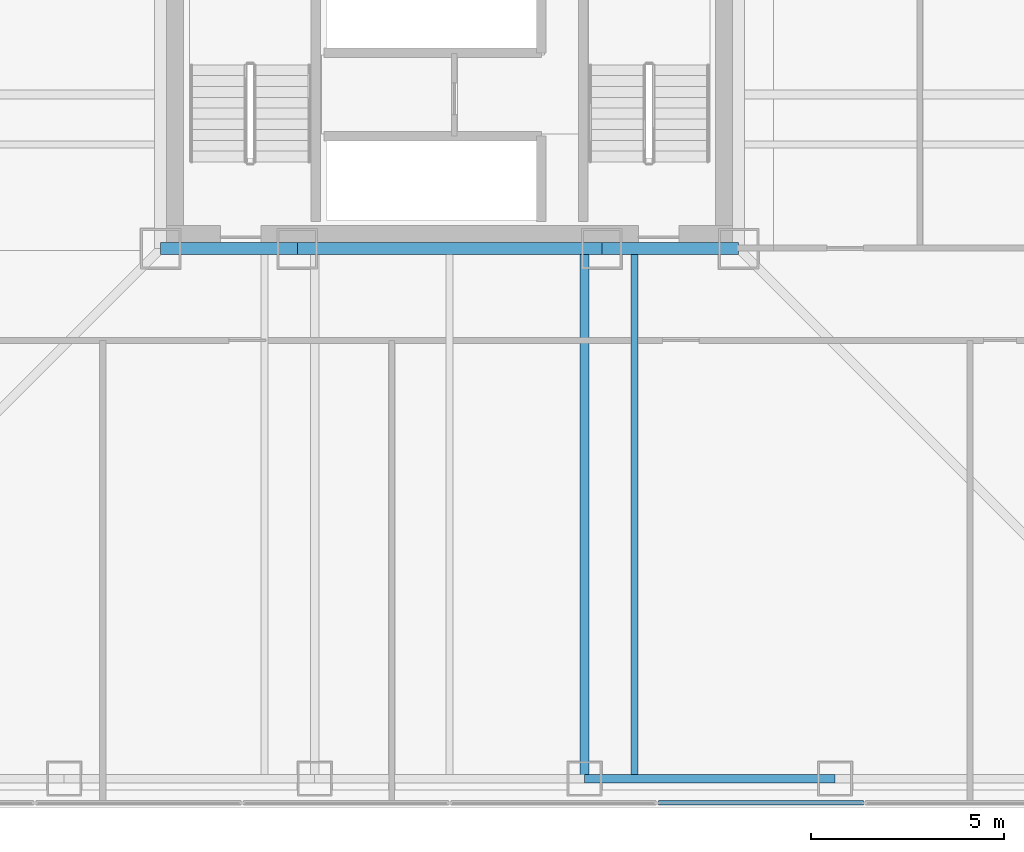
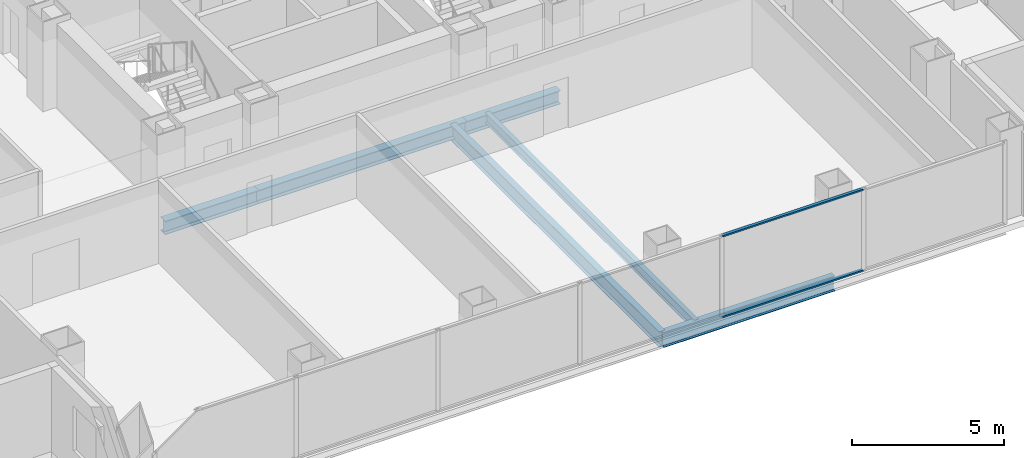
# One storey, part 3 of 14: 6 beams, 2 members, 1 element without a shape of its own.
"""IFC4 building model written with IfcOpenShell, lengths in metres."""

from ifc_helpers import new_model, si_unit, direction, frame, origin, origin_2d, place, context, subcontext, project, spatial, rectangle, i_section, extrude, material, layer, layer_set, material_profile, profile_set, type_object, element, aggregate, save


model = new_model("IFC4")

# Units and contexts
model_context = context("Model", 3, precision=1e-05, world=origin(), true_north=direction((0.0, 1.0)))
body_context = subcontext(model_context, "Body", "Model", "MODEL_VIEW")
ifc_project = project(units=[si_unit("LENGTHUNIT", "METRE"), si_unit("AREAUNIT", "SQUARE_METRE"), si_unit("VOLUMEUNIT", "CUBIC_METRE"), si_unit("PLANEANGLEUNIT", "RADIAN"), si_unit("MASSUNIT", "GRAM", prefix="KILO")], contexts=[model_context])

# Site, building, storey
site_placement = place(None, origin())
site = spatial("IfcSite", under=ifc_project, at=site_placement, CompositionType="ELEMENT")
building_placement = place(site_placement, origin())
building = spatial("IfcBuilding", under=site, at=building_placement, Name="Trevonay Congress Spire", CompositionType="ELEMENT")
storey_placement = place(building_placement, frame((0.0, 0.0, 97.60009765625)))
storey = spatial("IfcBuildingStorey", under=building, at=storey_placement, Name="L24", CompositionType="ELEMENT", Elevation=97.60009765625)

# Beams
ifc_material_1 = material(Name="Steel ASTM A572 Grade 50", Category="steel")
ifc_material_profile_1 = material_profile(ifc_material_1, i_section(OverallWidth=0.31201171875, OverallDepth=0.54296875, WebThickness=0.0126953125, FlangeThickness=0.020263671875, FilletRadius=0.014892578125, at=origin_2d()), Name="W530x150")
ifc_profile_set_1 = profile_set([ifc_material_profile_1], Name="Steel ASTM A572 Grade 50")
beam_type_1 = type_object("IfcBeamType", Name="BM-GIRD-W530X150", PredefinedType="BEAM", material=ifc_profile_set_1)
beam_1_placement = place(storey_placement, frame((-7.5, -7.5, -0.51171875), z_axis=(1.0, 0.0, 0.0), x_axis=(0.0, 1.0, 0.0)))
element("IfcBeam", 1, at=beam_1_placement, inside=storey, type_object=beam_type_1, Name="L24 structural beam BM-L24-CR-S1", PredefinedType="BEAM", context=body_context, shape_type="SweptSolid", body=[
    extrude(i_section(OverallWidth=0.31201171875, OverallDepth=0.54296875, WebThickness=0.0126953125, FlangeThickness=0.020263671875, FilletRadius=0.014892578125, at=origin_2d()), origin(), (0.0, 0.0, 1.0), 3.550048828125),
])
beam_2_placement = place(storey_placement, frame((-3.949951171875, -7.5, -0.51171875), z_axis=(1.0, 0.0, 0.0), x_axis=(0.0, 1.0, 0.0)))
element("IfcBeam", 2, at=beam_2_placement, inside=storey, type_object=beam_type_1, Name="L24 structural beam BM-L24-CR-S2", PredefinedType="BEAM", context=body_context, shape_type="SweptSolid", body=[
    extrude(i_section(OverallWidth=0.31201171875, OverallDepth=0.54296875, WebThickness=0.0126953125, FlangeThickness=0.020263671875, FilletRadius=0.014892578125, at=origin_2d()), origin(), (0.0, 0.0, 1.0), 7.89990234375),
])
beam_3_placement = place(storey_placement, frame((3.949951171875, -7.5, -0.51171875), z_axis=(1.0, 0.0, 0.0), x_axis=(0.0, 1.0, 0.0)))
element("IfcBeam", 3, at=beam_3_placement, inside=storey, type_object=beam_type_1, Name="L24 structural beam BM-L24-CR-S3", PredefinedType="BEAM", context=body_context, shape_type="SweptSolid", body=[
    extrude(i_section(OverallWidth=0.31201171875, OverallDepth=0.54296875, WebThickness=0.0126953125, FlangeThickness=0.020263671875, FilletRadius=0.014892578125, at=origin_2d()), origin(), (0.0, 0.0, 1.0), 3.550048828125),
])
ifc_material_profile_2 = material_profile(ifc_material_1, i_section(OverallWidth=0.22998046875, OverallDepth=0.616943359375, WebThickness=0.01318359375, FlangeThickness=0.022216796875, FilletRadius=0.01611328125, at=origin_2d()), Name="W610x140")
ifc_profile_set_2 = profile_set([ifc_material_profile_2], Name="Steel ASTM A572 Grade 50")
beam_type_2 = type_object("IfcBeamType", Name="BM-GIRD-W610X140", PredefinedType="BEAM", material=ifc_profile_set_2)
beam_4_placement = place(storey_placement, frame((3.5, -7.5, -0.548583984375), z_axis=(0.0, -1.0, 0.0), x_axis=(1.0, 0.0, 0.0)))
element("IfcBeam", 4, at=beam_4_placement, inside=storey, type_object=beam_type_2, Name="L24 structural beam BM-L24-GS-P", PredefinedType="BEAM", context=body_context, shape_type="SweptSolid", body=[
    extrude(i_section(OverallWidth=0.22998046875, OverallDepth=0.616943359375, WebThickness=0.01318359375, FlangeThickness=0.022216796875, FilletRadius=0.01611328125, at=origin_2d()), origin(), (0.0, 0.0, 1.0), 13.75),
])
ifc_material_profile_3 = material_profile(ifc_material_1, i_section(OverallWidth=0.22802734375, OverallDepth=0.60791015625, WebThickness=0.01123046875, FlangeThickness=0.017333984375, FilletRadius=0.01611328125, at=origin_2d()), Name="W610x113")
ifc_profile_set_3 = profile_set([ifc_material_profile_3], Name="Steel ASTM A572 Grade 50")
beam_type_3 = type_object("IfcBeamType", Name="BM-RING-W610X113", PredefinedType="BEAM", material=ifc_profile_set_3)
beam_5_placement = place(storey_placement, frame((3.5, -21.25, -0.544189453125), z_axis=(1.0, 0.0, 0.0), x_axis=(0.0, 1.0, 0.0)))
element("IfcBeam", 5, at=beam_5_placement, inside=storey, type_object=beam_type_3, Name="L24 structural beam BM-L24-PS4", PredefinedType="BEAM", context=body_context, shape_type="SweptSolid", body=[
    extrude(i_section(OverallWidth=0.22802734375, OverallDepth=0.60791015625, WebThickness=0.01123046875, FlangeThickness=0.017333984375, FilletRadius=0.01611328125, at=origin_2d()), origin(), (0.0, 0.0, 1.0), 6.5),
])

# Curtain wall, members
ifc_material_2 = material(Name="Pale Anodised Aluminium EN AW-6063-T6", Category="aluminium")
ifc_layer = layer(ifc_material_2, 0.175048828125, Name="Pale Anodised Aluminium EN AW-6063-T6")
ifc_layer_set = layer_set([ifc_layer], Name="Pale Anodised Aluminium EN AW-6063-T6")
curtain_wall_type = type_object("IfcCurtainWallType", Name="CW-SYS03-CONGRESS-PALE-METAL", PredefinedType="NOTDEFINED", material=ifc_layer_set)
curtain_wall_placement = place(storey_placement, origin())
curtain_wall = element("IfcCurtainWall", 6, at=curtain_wall_placement, inside=storey, type_object=curtain_wall_type, Name="L24 S unitised curtain wall", PredefinedType="NOTDEFINED")
ifc_material_profile_4 = material_profile(ifc_material_2, rectangle(XDim=0.1201171875, YDim=0.06005859375, at=origin_2d()), Name="CW-TRANSOM-120-ALUMINIUM")
ifc_profile_set_4 = profile_set([ifc_material_profile_4], Name="Pale Anodised Aluminium EN AW-6063-T6")
member_type = type_object("IfcMemberType", Name="CW-TRANSOM-120-ALUMINIUM", PredefinedType="USERDEFINED", material=ifc_profile_set_4)
member_1_placement = place(storey_placement, frame((5.413330078125, -21.8798828125, 0.059814453125), z_axis=(1.0, 0.0, 0.0), x_axis=(0.0, 1.0, 0.0)))
member_1 = element("IfcMember", 7, at=member_1_placement, type_object=member_type, Name="CW03 transom 5.1", ObjectType="TRANSOM", PredefinedType="USERDEFINED", context=body_context, shape_type="SweptSolid", body=[
    extrude(rectangle(XDim=0.1201171875, YDim=0.06005859375, at=origin_2d()), origin(), (0.0, 0.0, 1.0), 5.3232421875),
])
member_2_placement = place(storey_placement, frame((5.413330078125, -21.8798828125, 3.2998046875), z_axis=(1.0, 0.0, 0.0), x_axis=(0.0, 1.0, 0.0)))
member_2 = element("IfcMember", 8, at=member_2_placement, type_object=member_type, Name="CW03 transom 5.2", ObjectType="TRANSOM", PredefinedType="USERDEFINED", context=body_context, shape_type="SweptSolid", body=[
    extrude(rectangle(XDim=0.1201171875, YDim=0.06005859375, at=origin_2d()), origin(), (0.0, 0.0, 1.0), 5.3232421875),
])
aggregate(curtain_wall, [member_1, member_2])

# Beam
ifc_material_profile_5 = material_profile(ifc_material_1, i_section(OverallWidth=0.177978515625, OverallDepth=0.406982421875, WebThickness=0.0078125, FlangeThickness=0.0126953125, FilletRadius=0.012939453125, at=origin_2d()), Name="W410x60")
ifc_profile_set_5 = profile_set([ifc_material_profile_5], Name="Steel ASTM A572 Grade 50")
beam_type_4 = type_object("IfcBeamType", Name="JS-COMP-W410X60", PredefinedType="JOIST", material=ifc_profile_set_5)
beam_6_placement = place(storey_placement, frame((4.800048828125, -21.25, -0.443603515625), z_axis=(0.0, 1.0, 0.0), x_axis=(-1.0, 0.0, 0.0)))
element("IfcBeam", 9, at=beam_6_placement, inside=storey, type_object=beam_type_4, Name="L24 structural beam JS-L24-NS-S3", PredefinedType="JOIST", context=body_context, shape_type="SweptSolid", body=[
    extrude(i_section(OverallWidth=0.177978515625, OverallDepth=0.406982421875, WebThickness=0.0078125, FlangeThickness=0.0126953125, FilletRadius=0.012939453125, at=origin_2d()), origin(), (0.0, 0.0, 1.0), 13.75),
])

save(model, "model.ifc")
